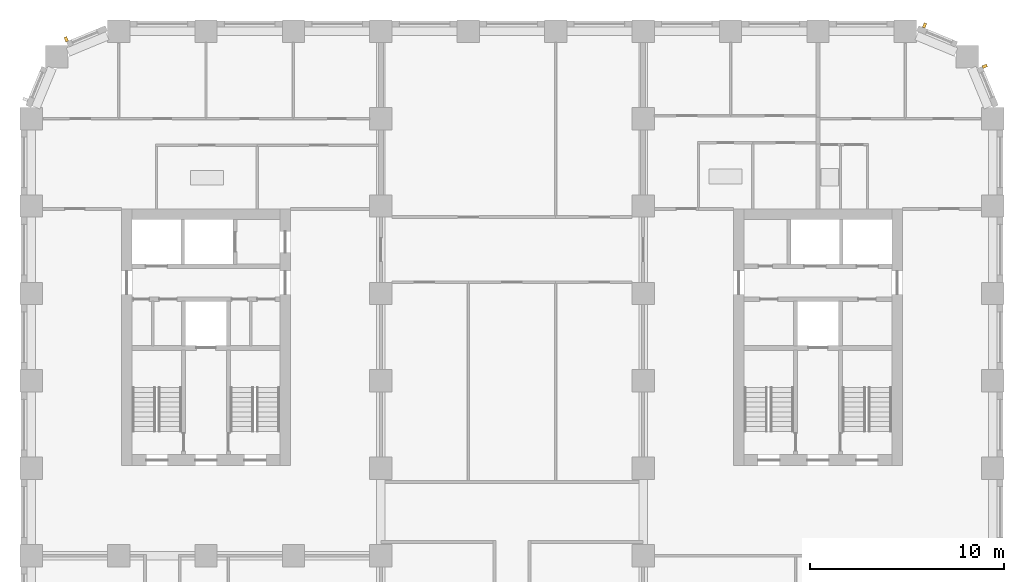
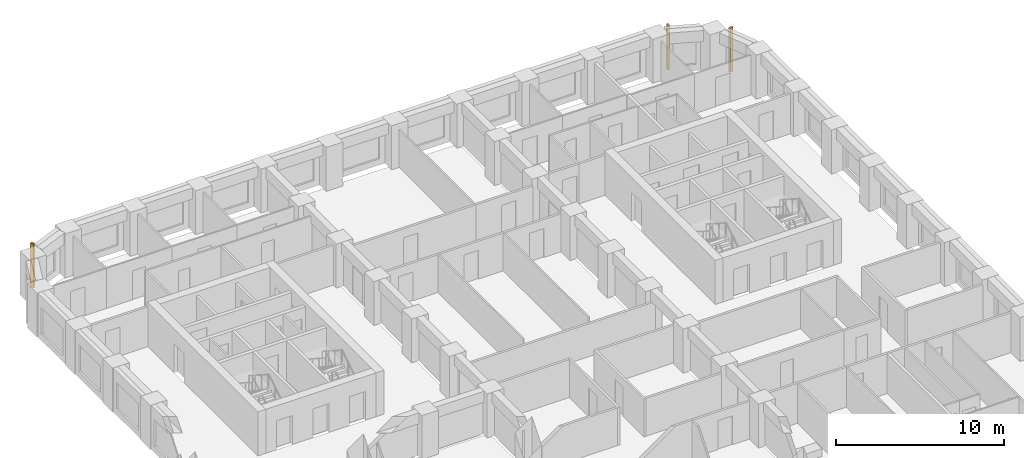
# One storey, part 12 of 13: 3 shading devices.
"""IFC4 building model written with IfcOpenShell, lengths in metres."""

from ifc_helpers import new_model, si_unit, direction, frame, origin, origin_2d, place, context, subcontext, project, spatial, rectangle, extrude, material, type_object, element, save


model = new_model("IFC4")

# Units and contexts
model_context = context("Model", 3, precision=1e-05, world=origin(), true_north=direction((0.0, 1.0)))
body_context = subcontext(model_context, "Body", "Model", "MODEL_VIEW")
ifc_project = project(units=[si_unit("LENGTHUNIT", "METRE"), si_unit("AREAUNIT", "SQUARE_METRE"), si_unit("VOLUMEUNIT", "CUBIC_METRE"), si_unit("PLANEANGLEUNIT", "RADIAN"), si_unit("MASSUNIT", "GRAM", prefix="KILO")], contexts=[model_context])

# Site, building, storey
site_placement = place(None, origin())
site = spatial("IfcSite", under=ifc_project, at=site_placement, CompositionType="ELEMENT")
building_placement = place(site_placement, origin())
building = spatial("IfcBuilding", under=site, at=building_placement, Name="Girih Gate Residences", CompositionType="ELEMENT")
storey_placement = place(building_placement, frame((0.0, 0.0, 99.199951171875)))
storey = spatial("IfcBuildingStorey", under=building, at=storey_placement, Name="L27", CompositionType="ELEMENT", Elevation=99.199951171875)

# Shading devices
ifc_material = material(Name="Precast concrete C50/60", Category="concrete")
shading_device_type = type_object("IfcShadingDeviceType", Name="Corner rib 150x250", PredefinedType="USERDEFINED", material=ifc_material)
for number, where, z_axis, x_axis, name in (
    (1, (49.087646484375, 47.6943359375, 0.0), (0.0, 0.0, 1.0), (-0.382683432365, 0.923879532511, 0.0), "Corner rib NE0495_0450.0"),
    (2, (45.985107421875, 49.79541015625, 0.0), (0.0, 0.0, 1.0), (-0.923879532511, 0.382683432365, 0.0), "Corner rib NE0482_0482.0"),
    (3, (1.8056640625, 49.087646484375, 0.0), (0.0, 0.0, 1.0), (-0.923879532511, -0.382683432365, 0.0), "Corner rib NW0045_0495.0"),
):
    element("IfcShadingDevice", number, at=place(storey_placement, frame(where, z_axis=z_axis, x_axis=x_axis)), inside=storey, type_object=shading_device_type, Name=name, ObjectType="FIN", PredefinedType="USERDEFINED", context=body_context, shape_type="SweptSolid", body=[
        extrude(rectangle(XDim=0.14990234375, YDim=0.25, at=origin_2d()), origin(), (0.0, 0.0, 1.0), 3.199951171875),
    ])

save(model, "model.ifc")
